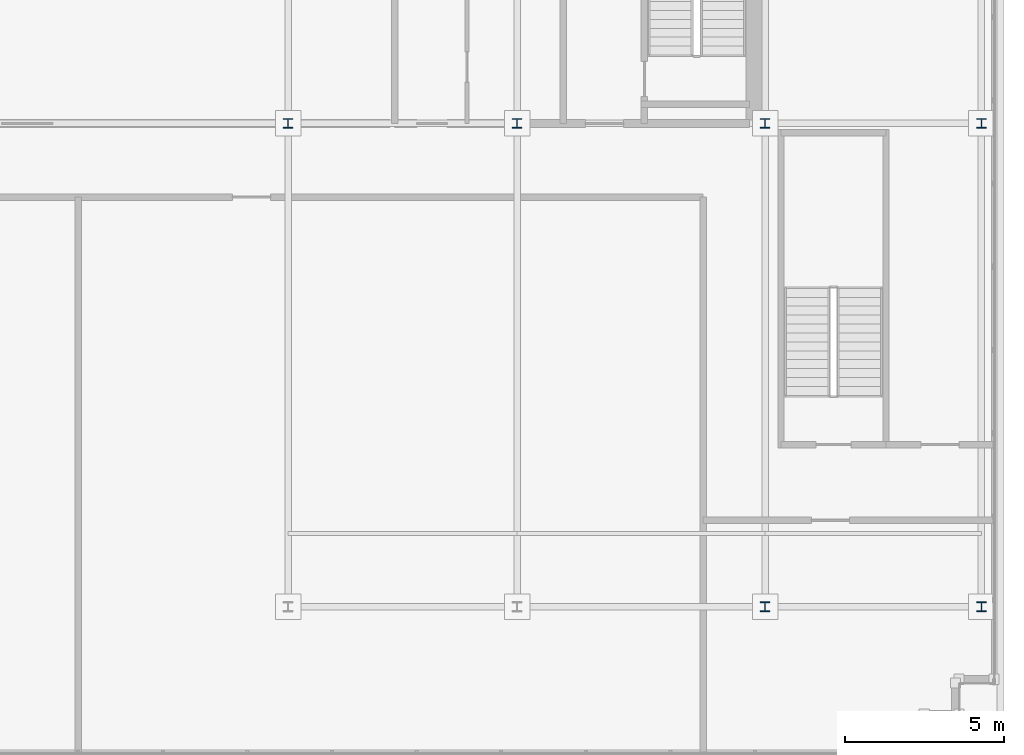
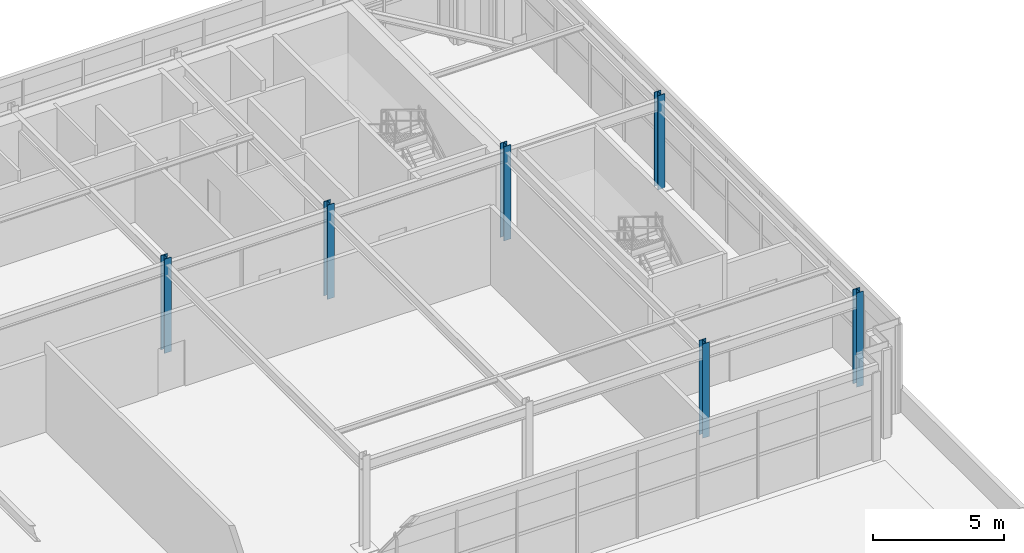
# One storey, part 2 of 38: 6 columns.
"""IFC4 building model written with IfcOpenShell, lengths in metres."""

from ifc_helpers import new_model, si_unit, direction, frame, origin, origin_2d, place, context, subcontext, project, spatial, i_section, extrude, source, transform, mapped, material, material_profile, profile_set, type_object, element, save


model = new_model("IFC4")

# Units and contexts
model_context = context("Model", 3, precision=1e-05, world=origin(), true_north=direction((0.0, 1.0)))
body_context = subcontext(model_context, "Body", "Model", "MODEL_VIEW")
ifc_project = project(units=[si_unit("LENGTHUNIT", "METRE"), si_unit("AREAUNIT", "SQUARE_METRE"), si_unit("VOLUMEUNIT", "CUBIC_METRE"), si_unit("PLANEANGLEUNIT", "RADIAN"), si_unit("MASSUNIT", "GRAM", prefix="KILO")], contexts=[model_context])

# Site, building, storey
site_placement = place(None, origin())
site = spatial("IfcSite", under=ifc_project, at=site_placement, CompositionType="ELEMENT")
building_placement = place(site_placement, origin())
building = spatial("IfcBuilding", under=site, at=building_placement, Name="Trelvane Seafront Commons", CompositionType="ELEMENT")
storey_placement = place(building_placement, frame((0.0, 0.0, 299.10009765625)))
storey = spatial("IfcBuildingStorey", under=building, at=storey_placement, Name="L78", CompositionType="ELEMENT", Elevation=299.10009765625)

# Columns
ifc_material = material(Name="Steel SM355 (S355)", Category="steel")
ifc_material_profile = material_profile(ifc_material, i_section(OverallWidth=0.300048828125, OverallDepth=0.300048828125, WebThickness=0.014892578125, FlangeThickness=0.02392578125, at=origin_2d()), Name="HD-300x300x15x24")
ifc_profile_set = profile_set([ifc_material_profile], Name="Steel SM355 (S355)")
column_type = type_object("IfcColumnType", Name="STR-CROWN-FRAME-COL", PredefinedType="COLUMN", material=ifc_profile_set)
shared_shape = source(origin(), body_context, "Body", "SweptSolid", [
    extrude(i_section(OverallWidth=0.300048828125, OverallDepth=0.300048828125, WebThickness=0.014892578125, FlangeThickness=0.02392578125, at=origin_2d()), origin(), (0.0, 0.0, 1.0), 4.39990234375),
])
for number, where, z_axis, x_axis, name in (
    (1, (43.800048828125, 33.39990234375, 0.0), (0.0, 0.0, 1.0), (1.0, 0.0, 0.0), "L78 CROWN FRAME Column CRN-5-2"),
    (2, (51.0, 33.39990234375, 0.0), (0.0, 0.0, 1.0), (1.0, 0.0, 0.0), "L78 CROWN FRAME Column CRN-6-2"),
    (3, (58.800048828125, 18.199951171875, 0.0), (0.0, 0.0, 1.0), (1.0, 0.0, 0.0), "L78 CROWN FRAME Column CRN-7-1"),
    (4, (58.800048828125, 33.39990234375, 0.0), (0.0, 0.0, 1.0), (1.0, 0.0, 0.0), "L78 CROWN FRAME Column CRN-7-2"),
    (5, (65.60009765625, 18.199951171875, 0.0), (0.0, 0.0, 1.0), (1.0, 0.0, 0.0), "L78 CROWN FRAME Column CRN-8-1"),
    (6, (65.60009765625, 33.39990234375, 0.0), (0.0, 0.0, 1.0), (1.0, 0.0, 0.0), "L78 CROWN FRAME Column CRN-8-2"),
):
    element("IfcColumn", number, at=place(storey_placement, frame(where, z_axis=z_axis, x_axis=x_axis)), inside=storey, type_object=column_type, Name=name, PredefinedType="COLUMN", context=body_context, shape_type="MappedRepresentation", body=[
        mapped(shared_shape, transform((0.0, 0.0, 0.0), x_axis=(1.0, 0.0, 0.0), y_axis=(0.0, 1.0, 0.0), z_axis=(0.0, 0.0, 1.0), scale=1.0)),
    ])

save(model, "model.ifc")
